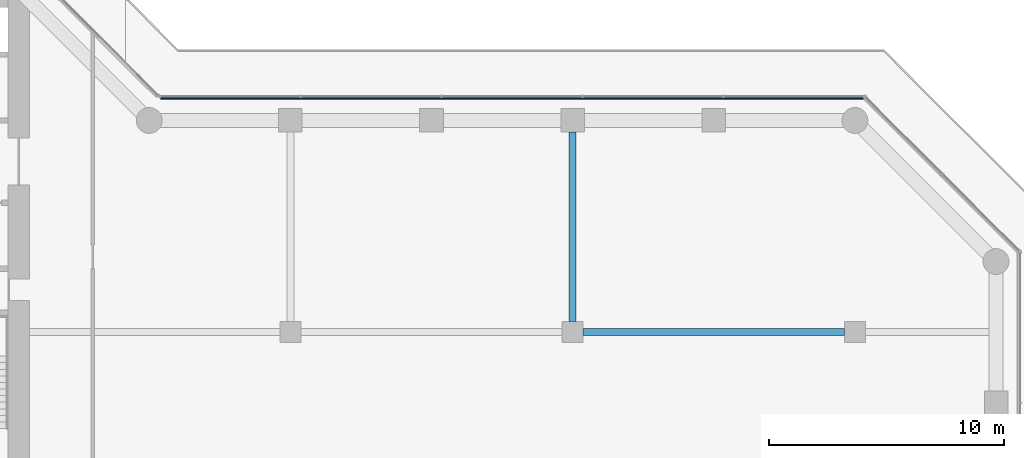
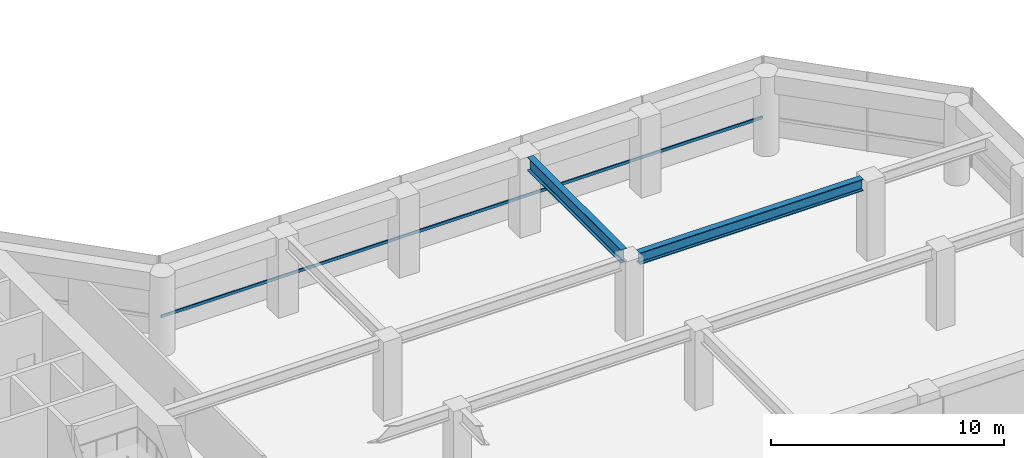
# One storey, part 9 of 24: 2 beams, 1 member, 1 element without a shape of its own.
"""IFC4 building model written with IfcOpenShell, lengths in metres."""

from ifc_helpers import new_model, si_unit, direction, frame, origin, origin_2d, place, context, subcontext, project, spatial, rectangle, i_section, extrude, material, layer, layer_set, material_profile, profile_set, type_object, element, aggregate, save


model = new_model("IFC4")

# Units and contexts
model_context = context("Model", 3, precision=1e-05, world=origin(), true_north=direction((0.0, 1.0)))
body_context = subcontext(model_context, "Body", "Model", "MODEL_VIEW")
ifc_project = project(units=[si_unit("LENGTHUNIT", "METRE"), si_unit("AREAUNIT", "SQUARE_METRE"), si_unit("VOLUMEUNIT", "CUBIC_METRE"), si_unit("PLANEANGLEUNIT", "RADIAN"), si_unit("MASSUNIT", "GRAM", prefix="KILO")], contexts=[model_context])

# Site, building, storey
site_placement = place(None, origin())
site = spatial("IfcSite", under=ifc_project, at=site_placement, CompositionType="ELEMENT")
building_placement = place(site_placement, origin())
building = spatial("IfcBuilding", under=site, at=building_placement, Name="Welwitschia Terrace Campus", CompositionType="ELEMENT")
storey_placement = place(building_placement, frame((0.0, 0.0, 15.5)))
storey = spatial("IfcBuildingStorey", under=building, at=storey_placement, Name="L03", CompositionType="ELEMENT", Elevation=15.5)

# Beams
ifc_material_1 = material(Name="Steel S355", Category="steel")
ifc_material_profile_1 = material_profile(ifc_material_1, i_section(OverallWidth=0.304931640625, OverallDepth=0.6201171875, WebThickness=0.02099609375, FlangeThickness=0.0400390625, FilletRadius=0.027099609375, at=origin_2d()))
ifc_profile_set_1 = profile_set([ifc_material_profile_1], Name="Steel S355")
beam_type_1 = type_object("IfcBeamType", Name="Interior girder HE 600 M", PredefinedType="BEAM", material=ifc_profile_set_1)
beam_1_placement = place(storey_placement, frame((48.450439453125, 11.0, 3.840087890625), z_axis=(1.0, 0.0, 0.0), x_axis=(0.0, 1.0, 0.0)))
element("IfcBeam", 1, at=beam_1_placement, inside=storey, type_object=beam_type_1, Name="Girder GB1", PredefinedType="BEAM", context=body_context, shape_type="SweptSolid", body=[
    extrude(i_section(OverallWidth=0.304931640625, OverallDepth=0.6201171875, WebThickness=0.02099609375, FlangeThickness=0.0400390625, FilletRadius=0.027099609375, at=origin_2d()), origin(), (0.0, 0.0, 1.0), 11.09912109375),
])
ifc_material_2 = material(Name="Steel S355", Category="steel")
ifc_material_profile_2 = material_profile(ifc_material_2, i_section(OverallWidth=0.300048828125, OverallDepth=0.699951171875, WebThickness=0.01708984375, FlangeThickness=0.031982421875, FilletRadius=0.027099609375, at=origin_2d()))
ifc_profile_set_2 = profile_set([ifc_material_profile_2], Name="Steel S355")
beam_type_2 = type_object("IfcBeamType", Name="Primary beam HE 700 B", PredefinedType="BEAM", material=ifc_profile_set_2)
beam_2_placement = place(storey_placement, frame((48.0, 19.49951171875, 3.800048828125), z_axis=(0.0, -1.0, 0.0), x_axis=(1.0, 0.0, 0.0)))
element("IfcBeam", 2, at=beam_2_placement, inside=storey, type_object=beam_type_2, Name="Primary beam PB1", PredefinedType="BEAM", context=body_context, shape_type="SweptSolid", body=[
    extrude(i_section(OverallWidth=0.300048828125, OverallDepth=0.699951171875, WebThickness=0.01708984375, FlangeThickness=0.031982421875, FilletRadius=0.027099609375, at=origin_2d()), origin(), (0.0, 0.0, 1.0), 8.049072265625),
])

# Curtain wall, member
ifc_material_3 = material(Name="Bronze anodised aluminium", Category="aluminium")
ifc_layer = layer(ifc_material_3, 0.1201171875)
ifc_layer_set = layer_set([ifc_layer], Name="Bronze anodised aluminium")
curtain_wall_type = type_object("IfcCurtainWallType", Name="Curtain wall CW2 tower 6000", PredefinedType="NOTDEFINED", material=ifc_layer_set)
curtain_wall_placement = place(storey_placement, origin())
curtain_wall = element("IfcCurtainWall", 3, at=curtain_wall_placement, inside=storey, type_object=curtain_wall_type, Name="CW L03.5.0", PredefinedType="NOTDEFINED")
ifc_material_4 = material(Name="Bronze anodised aluminium", Category="aluminium")
ifc_material_profile_3 = material_profile(ifc_material_4, rectangle(XDim=0.06005859375, YDim=0.14990234375, at=origin_2d()))
ifc_profile_set_3 = profile_set([ifc_material_profile_3], Name="Bronze anodised aluminium")
member_type = type_object("IfcMemberType", Name="Transom 60x150", PredefinedType="USERDEFINED", material=ifc_profile_set_3)
member_placement = place(storey_placement, frame((60.362548828125, 20.929931640625, 1.0), z_axis=(-1.0, 0.0, 0.0), x_axis=(0.0, -1.0, 0.0)))
member = element("IfcMember", 4, at=member_placement, type_object=member_type, Name="Transom L03.5.0", ObjectType="TRANSOM", PredefinedType="USERDEFINED", context=body_context, shape_type="SweptSolid", body=[
    extrude(rectangle(XDim=0.06005859375, YDim=0.14990234375, at=origin_2d()), origin(), (0.0, 0.0, 1.0), 29.880126953125),
])
aggregate(curtain_wall, [member])

save(model, "model.ifc")
